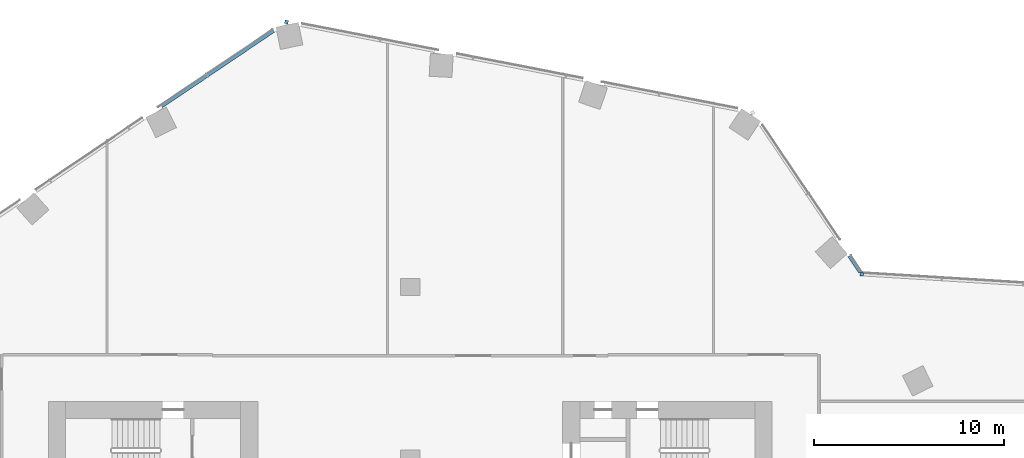
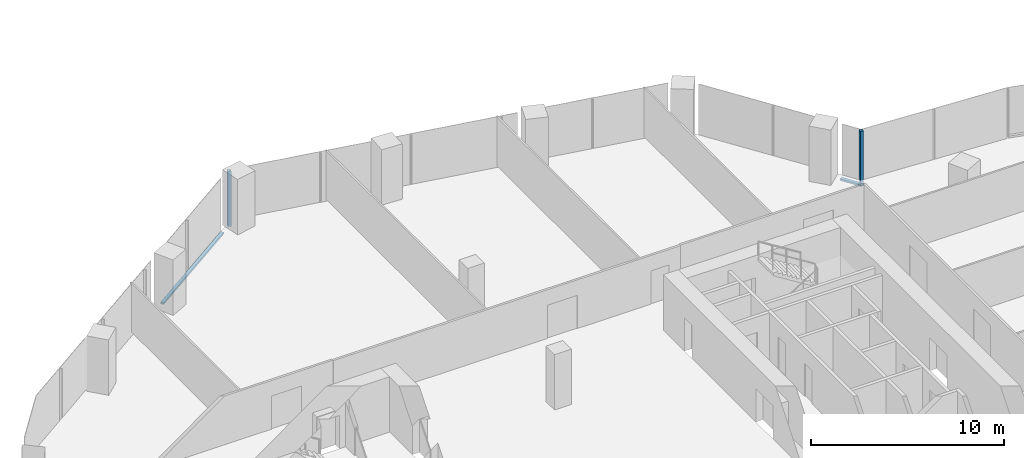
# One storey, part 10 of 26: 4 members, 4 elements without a shape of their own.
"""IFC4 building model written with IfcOpenShell, lengths in metres."""

from ifc_helpers import new_model, si_unit, direction, frame, origin, origin_2d, place, context, subcontext, project, spatial, rectangle, extrude, material, material_profile, profile_set, type_object, element, aggregate, save


model = new_model("IFC4")

# Units and contexts
model_context = context("Model", 3, precision=1e-05, world=origin(), true_north=direction((0.0, 1.0)))
body_context = subcontext(model_context, "Body", "Model", "MODEL_VIEW")
ifc_project = project(units=[si_unit("LENGTHUNIT", "METRE"), si_unit("AREAUNIT", "SQUARE_METRE"), si_unit("VOLUMEUNIT", "CUBIC_METRE"), si_unit("PLANEANGLEUNIT", "RADIAN"), si_unit("MASSUNIT", "GRAM", prefix="KILO")], contexts=[model_context])

# Site, building, storey
site_placement = place(None, origin())
site = spatial("IfcSite", under=ifc_project, at=site_placement, CompositionType="ELEMENT")
building_placement = place(site_placement, origin())
building = spatial("IfcBuilding", under=site, at=building_placement, Name="Orlundy Tower", CompositionType="ELEMENT")
storey_placement = place(building_placement, frame((0.0, 0.0, 156.10009765625)))
storey = spatial("IfcBuildingStorey", under=building, at=storey_placement, Name="L40", CompositionType="ELEMENT", Elevation=156.10009765625)

# Curtain wall, member
ifc_material_1 = material(Name="Aluminium bronze anodised", Category="aluminium")
curtain_wall_type = type_object("IfcCurtainWallType", Name="CW1 wall", PredefinedType="NOTDEFINED", material=ifc_material_1)
curtain_wall_1_placement = place(storey_placement, origin())
curtain_wall_1 = element("IfcCurtainWall", 1, at=curtain_wall_1_placement, inside=storey, type_object=curtain_wall_type, Name="CW1 run 04", PredefinedType="NOTDEFINED")
ifc_material_2 = material(Name="Aluminium bronze anodised", Category="aluminium")
ifc_material_profile_1 = material_profile(ifc_material_2, rectangle(XDim=0.179931640625, YDim=0.179931640625, at=origin_2d()), Name="CW1 corner post 180x180")
ifc_profile_set_1 = profile_set([ifc_material_profile_1], Name="Aluminium bronze anodised")
member_type_1 = type_object("IfcMemberType", Name="CW1 corner post 180x180", PredefinedType="MULLION", material=ifc_profile_set_1)
member_1_placement = place(storey_placement, frame((-6.493408203125, 31.91552734375, -0.400146484375), z_axis=(0.0, 0.0, 1.0), x_axis=(0.19080503976, 0.981627952333, 0.0)))
member_1 = element("IfcMember", 2, at=member_1_placement, type_object=member_type_1, Name="CW1 mullion 19", PredefinedType="MULLION", context=body_context, shape_type="SweptSolid", body=[
    extrude(rectangle(XDim=0.179931640625, YDim=0.179931640625, at=origin_2d()), origin(), (0.0, 0.0, 1.0), 3.5),
])
aggregate(curtain_wall_1, [member_1])

curtain_wall_2_placement = place(storey_placement, origin())
curtain_wall_2 = element("IfcCurtainWall", 3, at=curtain_wall_2_placement, inside=storey, type_object=curtain_wall_type, Name="CW1 run 06", PredefinedType="NOTDEFINED")
member_2_placement = place(storey_placement, frame((23.69677734375, 18.67822265625, -0.400146484375), z_axis=(0.0, 0.0, 1.0), x_axis=(0.061064785376, 0.998133804651, 0.0)))
member_2 = element("IfcMember", 4, at=member_2_placement, type_object=member_type_1, Name="CW1 mullion 26", PredefinedType="MULLION", context=body_context, shape_type="SweptSolid", body=[
    extrude(rectangle(XDim=0.179931640625, YDim=0.179931640625, at=origin_2d()), origin(), (0.0, 0.0, 1.0), 3.5),
])
aggregate(curtain_wall_2, [member_2])

curtain_wall_3_placement = place(storey_placement, origin())
curtain_wall_3 = element("IfcCurtainWall", 5, at=curtain_wall_3_placement, inside=storey, type_object=curtain_wall_type, Name="CW1 run 03", PredefinedType="NOTDEFINED")
ifc_material_3 = material(Name="Aluminium bronze anodised", Category="aluminium")
ifc_material_profile_2 = material_profile(ifc_material_3, rectangle(XDim=0.179931640625, YDim=0.1201171875, at=origin_2d()), Name="CW1 transom 180x120")
ifc_profile_set_2 = profile_set([ifc_material_profile_2], Name="Aluminium bronze anodised")
member_type_2 = type_object("IfcMemberType", Name="CW1 transom 180x120", PredefinedType="USERDEFINED", material=ifc_profile_set_2)
member_3_placement = place(storey_placement, frame((-13.05615234375, 27.48876953125, -0.340087890625), z_axis=(0.829040638781, 0.559188357576, 0.0), x_axis=(-0.559188357576, 0.829040638781, 0.0)))
member_3 = element("IfcMember", 6, at=member_3_placement, type_object=member_type_2, Name="CW1 transom", ObjectType="TRANSOM", PredefinedType="USERDEFINED", context=body_context, shape_type="SweptSolid", body=[
    extrude(rectangle(XDim=0.179931640625, YDim=0.1201171875, at=origin_2d()), origin(), (0.0, 0.0, 1.0), 7.104736328125),
])
aggregate(curtain_wall_3, [member_3])

curtain_wall_4_placement = place(storey_placement, origin())
curtain_wall_4 = element("IfcCurtainWall", 7, at=curtain_wall_4_placement, inside=storey, type_object=curtain_wall_type, Name="CW1 run 05", PredefinedType="NOTDEFINED")
member_4_placement = place(storey_placement, frame((23.0458984375, 19.64306640625, -0.340087890625), z_axis=(0.559197395463, -0.82903454265, 0.0), x_axis=(0.82903454265, 0.559197395463, 0.0)))
member_4 = element("IfcMember", 8, at=member_4_placement, type_object=member_type_2, Name="CW1 transom", ObjectType="TRANSOM", PredefinedType="USERDEFINED", context=body_context, shape_type="SweptSolid", body=[
    extrude(rectangle(XDim=0.179931640625, YDim=0.1201171875, at=origin_2d()), origin(), (0.0, 0.0, 1.0), 1.050537109375),
])
aggregate(curtain_wall_4, [member_4])

save(model, "model.ifc")
